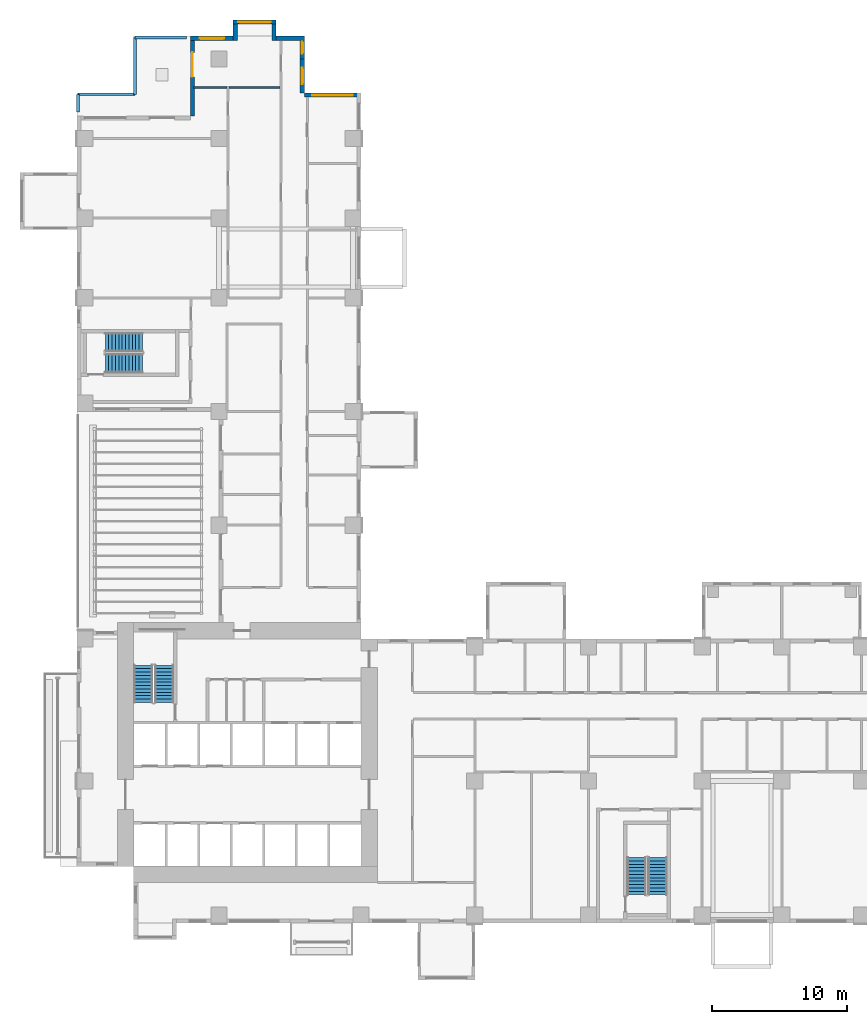
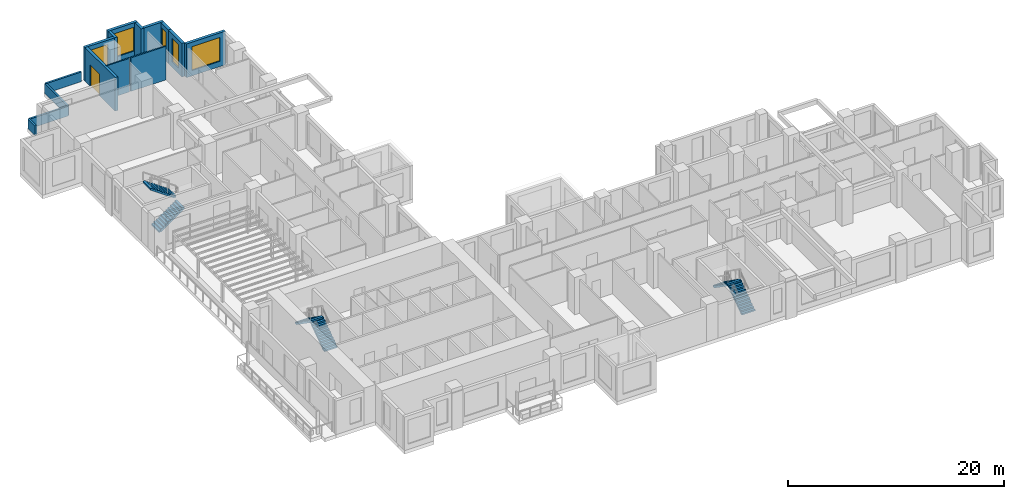
# One storey, part 12 of 17: 15 walls, 6 stair flights, 5 windows, 1 door, 6 openings, 3 elements without a shape of their own.
"""IFC4 building model written with IfcOpenShell, lengths in metres."""

from ifc_helpers import new_model, si_unit, direction, frame, frame_2d, origin, place, context, subcontext, project, spatial, polyline, rectangle, outline, extrude, source, transform, mapped, material, layer, layer_set, type_object, element, fill, aggregate, save


model = new_model("IFC4")

# Units and contexts
model_context = context("Model", 3, precision=1e-05, world=origin(), true_north=direction((0.0, 1.0)))
body_context = subcontext(model_context, "Body", "Model", "MODEL_VIEW")
ifc_project = project(units=[si_unit("LENGTHUNIT", "METRE"), si_unit("AREAUNIT", "SQUARE_METRE"), si_unit("VOLUMEUNIT", "CUBIC_METRE"), si_unit("PLANEANGLEUNIT", "RADIAN"), si_unit("MASSUNIT", "GRAM", prefix="KILO")], contexts=[model_context])

# Site, building, storey
site_placement = place(None, origin())
site = spatial("IfcSite", under=ifc_project, at=site_placement, CompositionType="ELEMENT")
building_placement = place(site_placement, origin())
building = spatial("IfcBuilding", under=site, at=building_placement, Name="Aurelian Terraces", CompositionType="ELEMENT")
storey_placement = place(building_placement, frame((0.0, 0.0, 69.9)))
storey = spatial("IfcBuildingStorey", under=building, at=storey_placement, Name="L14", CompositionType="ELEMENT", Elevation=69.9)

# Walls
ifc_material_1 = material(Name="Terracotta rainscreen cladding", Category="masonry")
ifc_layer_1 = layer(ifc_material_1, 0.3)
ifc_layer_set_1 = layer_set([ifc_layer_1], Name="EW-300")
wall_type_1 = type_object("IfcWallType", Name="EW-300", PredefinedType="STANDARD", material=ifc_layer_set_1)
wall_1_placement = place(storey_placement, frame((16.8, 65.37, 0.0), z_axis=(0.0, 0.0, 1.0), x_axis=(-1.0, 0.0, 0.0)))
element("IfcWall", 1, at=wall_1_placement, inside=storey, type_object=wall_type_1, Name="External wall L14 F11.31", PredefinedType="STANDARD", context=body_context, shape_type="SweptSolid", body=[
    extrude(rectangle(XDim=2.1, YDim=0.3, at=frame_2d((1.05, 0.0))), origin(), (0.0, 0.0, 1.0), 3.8),
])
ifc_layer_2 = layer(ifc_material_1, 0.2)
ifc_layer_set_2 = layer_set([ifc_layer_2], Name="PARAPET-200")
wall_type_2 = type_object("IfcWallType", Name="PARAPET-200", PredefinedType="PARAPET", material=ifc_layer_set_2)
wall_2_placement = place(storey_placement, frame((0.09, 59.94, 0.0), z_axis=(0.0, 0.0, 1.0), x_axis=(0.0, 1.0, 0.0)))
element("IfcWall", 2, at=wall_2_placement, inside=storey, type_object=wall_type_2, Name="Parapet L14 L14-X1", PredefinedType="PARAPET", context=body_context, shape_type="SweptSolid", body=[
    extrude(rectangle(XDim=1.29, YDim=0.2, at=frame_2d((0.645, 0.0))), origin(), (0.0, 0.0, 1.0), 1.1),
])
wall_3_placement = place(storey_placement, frame((0.09, 61.23, 0.0), z_axis=(0.0, 0.0, 1.0), x_axis=(1.0, 0.0, 0.0)))
element("IfcWall", 3, at=wall_3_placement, inside=storey, type_object=wall_type_2, Name="Parapet L14 L14-X1", PredefinedType="PARAPET", context=body_context, shape_type="SweptSolid", body=[
    extrude(rectangle(XDim=4.2, YDim=0.2, at=frame_2d((2.1, 0.0))), origin(), (0.0, 0.0, 1.0), 1.1),
])
wall_4_placement = place(storey_placement, frame((4.29, 65.43, 0.0), z_axis=(0.0, 0.0, 1.0), x_axis=(1.0, 0.0, 0.0)))
element("IfcWall", 4, at=wall_4_placement, inside=storey, type_object=wall_type_2, Name="Parapet L14 L14-X1", PredefinedType="PARAPET", context=body_context, shape_type="SweptSolid", body=[
    extrude(rectangle(XDim=3.81, YDim=0.2, at=frame_2d((1.905, 0.0))), origin(), (0.0, 0.0, 1.0), 1.1),
])
ifc_material_2 = material(Name="Gypsum board on steel studs", Category="steel")
ifc_layer_3 = layer(ifc_material_2, 0.15)
ifc_layer_set_3 = layer_set([ifc_layer_3], Name="Partition 150")
wall_type_3 = type_object("IfcWallType", Name="Partition 150", PredefinedType="PARTITIONING", material=ifc_layer_set_3)
wall_5_placement = place(storey_placement, frame((11.1, 61.74, 0.0), z_axis=(0.0, 0.0, 1.0), x_axis=(-1.0, 0.0, 0.0)))
element("IfcWall", 5, at=wall_5_placement, inside=storey, type_object=wall_type_3, Name="Partition", PredefinedType="PARTITIONING", context=body_context, shape_type="SweptSolid", body=[
    extrude(rectangle(XDim=2.495, YDim=0.15, at=frame_2d((1.2475, 0.0))), origin(), (0.0, 0.0, 1.0), 3.8),
])

# Wall, opening, window
shared_shape_1 = source(origin(), body_context, "Body", "SweptSolid", [
    extrude(rectangle(XDim=3.15, YDim=0.3, at=frame_2d((1.575, 0.0))), origin(), (0.0, 0.0, 1.0), 3.8),
])
wall_6_placement = place(storey_placement, frame((14.7, 66.57, 0.0), z_axis=(0.0, 0.0, 1.0), x_axis=(-1.0, 0.0, 0.0)))
wall_6 = element("IfcWall", 6, at=wall_6_placement, inside=storey, type_object=wall_type_1, Name="Bay wall L14 F11.32", PredefinedType="STANDARD", context=body_context, shape_type="MappedRepresentation", body=[
    mapped(shared_shape_1, transform((0.0, 0.0, 0.0), scale=1.0)),
])
shared_shape_2 = source(origin(), body_context, "Body", "SweptSolid", [
    extrude(rectangle(XDim=2.4, YDim=2.7, at=frame_2d((1.2, 1.35))), frame((0.0, 0.16, 0.0), z_axis=(0.0, -1.0, 0.0), x_axis=(1.0, 0.0, 0.0)), (0.0, 0.0, 1.0), 0.32),
])
opening_1_placement = place(wall_6_placement, frame((0.375, 0.0, 0.6)))
opening_1 = element("IfcOpeningElement", 7, at=opening_1_placement, cuts=wall_6, Name="Opening W2427", PredefinedType="OPENING", context=body_context, shape_type="MappedRepresentation", body=[
    mapped(shared_shape_2, transform((0.0, 0.0, 0.0), scale=1.0)),
])
ifc_material_3 = material(Name="Clear glazing", Category="glass")
window_type_1 = type_object("IfcWindowType", Name="W-2400x2700", PartitioningType="SINGLE_PANEL", PredefinedType="WINDOW", material=ifc_material_3)
shared_shape_3 = source(origin(), body_context, "Body", "SweptSolid", [
    extrude(rectangle(XDim=2.4, YDim=2.7, at=frame_2d((1.2, 1.35))), frame((0.0, 0.03, 0.0), z_axis=(0.0, -1.0, 0.0), x_axis=(1.0, 0.0, 0.0)), (0.0, 0.0, 1.0), 0.06),
])
window_1_placement = place(opening_1_placement, origin())
window_1 = element("IfcWindow", 8, at=window_1_placement, inside=storey, type_object=window_type_1, Name="Window L14 L14-F11-32-0", OverallHeight=2.7, OverallWidth=2.4, PartitioningType="SINGLE_PANEL", PredefinedType="WINDOW", context=body_context, shape_type="MappedRepresentation", body=[
    mapped(shared_shape_3, transform((0.0, 0.0, 0.0), scale=1.0)),
])
fill(opening_1, window_1)

wall_7_placement = place(storey_placement, frame((11.55, 65.37, 0.0), z_axis=(0.0, 0.0, 1.0), x_axis=(-1.0, 0.0, 0.0)))
wall_7 = element("IfcWall", 9, at=wall_7_placement, inside=storey, type_object=wall_type_1, Name="External wall L14 F11.33", PredefinedType="STANDARD", context=body_context, shape_type="MappedRepresentation", body=[
    mapped(shared_shape_1, transform((0.0, 0.0, 0.0), scale=1.0)),
])
shared_shape_4 = source(origin(), body_context, "Body", "SweptSolid", [
    extrude(rectangle(XDim=1.8, YDim=2.7, at=frame_2d((0.9, 1.35))), frame((0.0, 0.16, 0.0), z_axis=(0.0, -1.0, 0.0), x_axis=(1.0, 0.0, 0.0)), (0.0, 0.0, 1.0), 0.32),
])
opening_2_placement = place(wall_7_placement, frame((0.675, 0.0, 0.6)))
opening_2 = element("IfcOpeningElement", 10, at=opening_2_placement, cuts=wall_7, Name="Opening W1827", PredefinedType="OPENING", context=body_context, shape_type="MappedRepresentation", body=[
    mapped(shared_shape_4, transform((0.0, 0.0, 0.0), scale=1.0)),
])
window_type_2 = type_object("IfcWindowType", Name="W-1800x2700", PartitioningType="SINGLE_PANEL", PredefinedType="WINDOW", material=ifc_material_3)
shared_shape_5 = source(origin(), body_context, "Body", "SweptSolid", [
    extrude(rectangle(XDim=1.8, YDim=2.7, at=frame_2d((0.9, 1.35))), frame((0.0, 0.03, 0.0), z_axis=(0.0, -1.0, 0.0), x_axis=(1.0, 0.0, 0.0)), (0.0, 0.0, 1.0), 0.06),
])
window_2_placement = place(opening_2_placement, origin())
window_2 = element("IfcWindow", 11, at=window_2_placement, inside=storey, type_object=window_type_2, Name="Window L14 L14-F11-33-0", OverallHeight=2.7, OverallWidth=1.8, PartitioningType="SINGLE_PANEL", PredefinedType="WINDOW", context=body_context, shape_type="MappedRepresentation", body=[
    mapped(shared_shape_5, transform((0.0, 0.0, 0.0), scale=1.0)),
])
fill(opening_2, window_2)

shared_shape_6 = source(origin(), body_context, "Body", "SweptSolid", [
    extrude(rectangle(XDim=4.2, YDim=0.3, at=frame_2d((2.1, 0.0))), origin(), (0.0, 0.0, 1.0), 3.8),
])
wall_8_placement = place(storey_placement, frame((21.0, 61.17, 0.0), z_axis=(0.0, 0.0, 1.0), x_axis=(-1.0, 0.0, 0.0)))
wall_8 = element("IfcWall", 12, at=wall_8_placement, inside=storey, type_object=wall_type_1, Name="External wall L14 F09.28", PredefinedType="STANDARD", context=body_context, shape_type="MappedRepresentation", body=[
    mapped(shared_shape_6, transform((0.0, 0.0, 0.0), scale=1.0)),
])
shared_shape_7 = source(origin(), body_context, "Body", "SweptSolid", [
    extrude(rectangle(XDim=3.0, YDim=2.7, at=frame_2d((1.5, 1.35))), frame((0.0, 0.16, 0.0), z_axis=(0.0, -1.0, 0.0), x_axis=(1.0, 0.0, 0.0)), (0.0, 0.0, 1.0), 0.32),
])
opening_3_placement = place(wall_8_placement, frame((0.6, 0.0, 0.6)))
opening_3 = element("IfcOpeningElement", 13, at=opening_3_placement, cuts=wall_8, Name="Opening W3027", PredefinedType="OPENING", context=body_context, shape_type="MappedRepresentation", body=[
    mapped(shared_shape_7, transform((0.0, 0.0, 0.0), scale=1.0)),
])
window_type_3 = type_object("IfcWindowType", Name="W-3000x2700", PartitioningType="SINGLE_PANEL", PredefinedType="WINDOW", material=ifc_material_3)
shared_shape_8 = source(origin(), body_context, "Body", "SweptSolid", [
    extrude(rectangle(XDim=3.0, YDim=2.7, at=frame_2d((1.5, 1.35))), frame((0.0, 0.03, 0.0), z_axis=(0.0, -1.0, 0.0), x_axis=(1.0, 0.0, 0.0)), (0.0, 0.0, 1.0), 0.06),
])
window_3_placement = place(opening_3_placement, origin())
window_3 = element("IfcWindow", 14, at=window_3_placement, inside=storey, type_object=window_type_3, Name="Window L14 L14-F09-28-0", OverallHeight=2.7, OverallWidth=3.0, PartitioningType="SINGLE_PANEL", PredefinedType="WINDOW", context=body_context, shape_type="MappedRepresentation", body=[
    mapped(shared_shape_8, transform((0.0, 0.0, 0.0), scale=1.0)),
])
fill(opening_3, window_3)

# Walls
shared_shape_9 = source(origin(), body_context, "Body", "SweptSolid", [
    extrude(rectangle(XDim=1.2, YDim=0.3, at=frame_2d((0.6, 0.0))), origin(), (0.0, 0.0, 1.0), 3.8),
])
for number, where, z_axis, x_axis, name in (
    (15, (14.55, 65.22, 0.0), (0.0, 0.0, 1.0), (0.0, 1.0, 0.0), "Bay return L14 F11.32.1"),
    (16, (11.7, 65.22, 0.0), (0.0, 0.0, 1.0), (0.0, 1.0, 0.0), "Bay return L14 F11.32.2"),
):
    element("IfcWall", number, at=place(storey_placement, frame(where, z_axis=z_axis, x_axis=x_axis)), inside=storey, type_object=wall_type_1, Name=name, PredefinedType="STANDARD", context=body_context, shape_type="MappedRepresentation", body=[
        mapped(shared_shape_9, transform((0.0, 0.0, 0.0), scale=1.0)),
    ])

# Wall, opening, door
shared_shape_10 = source(origin(), body_context, "Body", "SweptSolid", [
    extrude(rectangle(XDim=5.88, YDim=0.3, at=frame_2d((2.94, 0.0))), origin(), (0.0, 0.0, 1.0), 3.8),
])
wall_9_placement = place(storey_placement, frame((8.55, 65.52, 0.0), z_axis=(0.0, 0.0, 1.0), x_axis=(0.0, -1.0, 0.0)))
wall_9 = element("IfcWall", 17, at=wall_9_placement, inside=storey, type_object=wall_type_1, Name="External wall L14 F12.34", PredefinedType="STANDARD", context=body_context, shape_type="MappedRepresentation", body=[
    mapped(shared_shape_10, transform((0.0, 0.0, 0.0), scale=1.0)),
])
shared_shape_11 = source(origin(), body_context, "Body", "SweptSolid", [
    extrude(rectangle(XDim=1.8, YDim=2.4, at=frame_2d((0.9, 1.2))), frame((0.0, 0.16, 0.0), z_axis=(0.0, -1.0, 0.0), x_axis=(1.0, 0.0, 0.0)), (0.0, 0.0, 1.0), 0.32),
])
opening_4_placement = place(wall_9_placement, frame((1.2, 0.0, 0.0)))
opening_4 = element("IfcOpeningElement", 18, at=opening_4_placement, cuts=wall_9, Name="Opening 81402", PredefinedType="OPENING", context=body_context, shape_type="MappedRepresentation", body=[
    mapped(shared_shape_11, transform((0.0, 0.0, 0.0), scale=1.0)),
])
door_type = type_object("IfcDoorType", Name="BD-1800x2400", OperationType="SLIDING_TO_LEFT", PredefinedType="DOOR", material=ifc_material_3)
shared_shape_12 = source(origin(), body_context, "Body", "SweptSolid", [
    extrude(rectangle(XDim=1.8, YDim=2.4, at=frame_2d((0.9, 1.2))), frame((0.0, 0.025, 0.0), z_axis=(0.0, -1.0, 0.0), x_axis=(1.0, 0.0, 0.0)), (0.0, 0.0, 1.0), 0.05),
])
door_placement = place(opening_4_placement, origin())
door = element("IfcDoor", 19, at=door_placement, inside=storey, type_object=door_type, Name="Terrace door L14 L14-F12-34.1", OperationType="SLIDING_TO_LEFT", OverallHeight=2.4, OverallWidth=1.8, PredefinedType="DOOR", context=body_context, shape_type="MappedRepresentation", body=[
    mapped(shared_shape_12, transform((0.0, 0.0, 0.0), scale=1.0)),
])
fill(opening_4, door)

# Wall, opening, window
shared_shape_13 = source(origin(), body_context, "Body", "SweptSolid", [
    extrude(rectangle(XDim=2.52, YDim=0.3, at=frame_2d((1.26, 0.0))), origin(), (0.0, 0.0, 1.0), 3.8),
])
wall_10_placement = place(storey_placement, frame((16.65, 61.32, 0.0), z_axis=(0.0, 0.0, 1.0), x_axis=(0.0, 1.0, 0.0)))
wall_10 = element("IfcWall", 20, at=wall_10_placement, inside=storey, type_object=wall_type_1, Name="External wall L14 F10.29", PredefinedType="STANDARD", context=body_context, shape_type="MappedRepresentation", body=[
    mapped(shared_shape_13, transform((0.0, 0.0, 0.0), scale=1.0)),
])
shared_shape_14 = source(origin(), body_context, "Body", "SweptSolid", [
    extrude(rectangle(XDim=1.2, YDim=2.7, at=frame_2d((0.6, 1.35))), frame((0.0, 0.16, 0.0), z_axis=(0.0, -1.0, 0.0), x_axis=(1.0, 0.0, 0.0)), (0.0, 0.0, 1.0), 0.32),
])
opening_5_placement = place(wall_10_placement, frame((0.66, 0.0, 0.6)))
opening_5 = element("IfcOpeningElement", 21, at=opening_5_placement, cuts=wall_10, Name="Opening W1227", PredefinedType="OPENING", context=body_context, shape_type="MappedRepresentation", body=[
    mapped(shared_shape_14, transform((0.0, 0.0, 0.0), scale=1.0)),
])
window_type_4 = type_object("IfcWindowType", Name="W-1200x2700", PartitioningType="SINGLE_PANEL", PredefinedType="WINDOW", material=ifc_material_3)
shared_shape_15 = source(origin(), body_context, "Body", "SweptSolid", [
    extrude(rectangle(XDim=1.2, YDim=2.7, at=frame_2d((0.6, 1.35))), frame((0.0, 0.03, 0.0), z_axis=(0.0, -1.0, 0.0), x_axis=(1.0, 0.0, 0.0)), (0.0, 0.0, 1.0), 0.06),
])
window_4_placement = place(opening_5_placement, origin())
window_4 = element("IfcWindow", 22, at=window_4_placement, inside=storey, type_object=window_type_4, Name="Window L14 L14-F10-29-0", OverallHeight=2.7, OverallWidth=1.2, PartitioningType="SINGLE_PANEL", PredefinedType="WINDOW", context=body_context, shape_type="MappedRepresentation", body=[
    mapped(shared_shape_15, transform((0.0, 0.0, 0.0), scale=1.0)),
])
fill(opening_5, window_4)

shared_shape_16 = source(origin(), body_context, "Body", "SweptSolid", [
    extrude(rectangle(XDim=1.68, YDim=0.3, at=frame_2d((0.84, 0.0))), origin(), (0.0, 0.0, 1.0), 3.8),
])
wall_11_placement = place(storey_placement, frame((16.65, 63.84, 0.0), z_axis=(0.0, 0.0, 1.0), x_axis=(0.0, 1.0, 0.0)))
wall_11 = element("IfcWall", 23, at=wall_11_placement, inside=storey, type_object=wall_type_1, Name="External wall L14 F10.30", PredefinedType="STANDARD", context=body_context, shape_type="MappedRepresentation", body=[
    mapped(shared_shape_16, transform((0.0, 0.0, 0.0), scale=1.0)),
])
shared_shape_17 = source(origin(), body_context, "Body", "SweptSolid", [
    extrude(rectangle(XDim=0.9, YDim=2.7, at=frame_2d((0.45, 1.35))), frame((0.0, 0.16, 0.0), z_axis=(0.0, -1.0, 0.0), x_axis=(1.0, 0.0, 0.0)), (0.0, 0.0, 1.0), 0.32),
])
opening_6_placement = place(wall_11_placement, frame((0.39, 0.0, 0.6)))
opening_6 = element("IfcOpeningElement", 24, at=opening_6_placement, cuts=wall_11, Name="Opening W0927", PredefinedType="OPENING", context=body_context, shape_type="MappedRepresentation", body=[
    mapped(shared_shape_17, transform((0.0, 0.0, 0.0), scale=1.0)),
])
window_type_5 = type_object("IfcWindowType", Name="W-900x2700", PartitioningType="SINGLE_PANEL", PredefinedType="WINDOW", material=ifc_material_3)
shared_shape_18 = source(origin(), body_context, "Body", "SweptSolid", [
    extrude(rectangle(XDim=0.9, YDim=2.7, at=frame_2d((0.45, 1.35))), frame((0.0, 0.03, 0.0), z_axis=(0.0, -1.0, 0.0), x_axis=(1.0, 0.0, 0.0)), (0.0, 0.0, 1.0), 0.06),
])
window_5_placement = place(opening_6_placement, origin())
window_5 = element("IfcWindow", 25, at=window_5_placement, inside=storey, type_object=window_type_5, Name="Window L14 L14-F10-30-P0", OverallHeight=2.7, OverallWidth=0.9, PartitioningType="SINGLE_PANEL", PredefinedType="WINDOW", context=body_context, shape_type="MappedRepresentation", body=[
    mapped(shared_shape_18, transform((0.0, 0.0, 0.0), scale=1.0)),
])
fill(opening_6, window_5)

# Walls
shared_shape_19 = source(origin(), body_context, "Body", "SweptSolid", [
    extrude(rectangle(XDim=4.2, YDim=0.2, at=frame_2d((2.1, 0.0))), origin(), (0.0, 0.0, 1.0), 1.1),
])
wall_12_placement = place(storey_placement, frame((4.29, 61.23, 0.0), z_axis=(0.0, 0.0, 1.0), x_axis=(0.0, 1.0, 0.0)))
element("IfcWall", 26, at=wall_12_placement, inside=storey, type_object=wall_type_2, Name="Parapet L14 L14-X1", PredefinedType="PARAPET", context=body_context, shape_type="MappedRepresentation", body=[
    mapped(shared_shape_19, transform((0.0, 0.0, 0.0), scale=1.0)),
])
shared_shape_20 = source(origin(), body_context, "Body", "SweptSolid", [
    extrude(rectangle(XDim=3.75, YDim=0.15, at=frame_2d((1.875, 0.0))), origin(), (0.0, 0.0, 1.0), 3.8),
])
wall_13_placement = place(storey_placement, frame((15.0, 61.74, 0.0), z_axis=(0.0, 0.0, 1.0), x_axis=(-1.0, 0.0, 0.0)))
element("IfcWall", 27, at=wall_13_placement, inside=storey, type_object=wall_type_3, Name="Partition", PredefinedType="PARTITIONING", context=body_context, shape_type="MappedRepresentation", body=[
    mapped(shared_shape_20, transform((0.0, 0.0, 0.0), scale=1.0)),
])

# Stair, stair flights
ifc_material_4 = material(Name="Concrete fc' 40 MPa", Category="concrete")
stair_type = type_object("IfcStairType", Name="Stair 1400", PredefinedType="HALF_TURN_STAIR", material=ifc_material_4)
stair_1_placement = place(storey_placement, origin())
stair_1 = element("IfcStair", 28, at=stair_1_placement, inside=storey, type_object=stair_type, Name="L14 S1", PredefinedType="HALF_TURN_STAIR")
stair_flight_type = type_object("IfcStairFlightType", Name="Stair flight 1400", PredefinedType="STRAIGHT", material=ifc_material_4)
shared_shape_21 = source(origin(), body_context, "Body", "SweptSolid", [
    extrude(outline(polyline([(0.0, 0.0), (0.0, 0.175), (0.25, 0.175), (0.25, 0.35), (0.5, 0.35), (0.5, 0.525), (0.75, 0.525), (0.75, 0.7), (1.0, 0.7), (1.0, 0.875), (1.25, 0.875), (1.25, 1.05), (1.5, 1.05), (1.5, 1.225), (1.75, 1.225), (1.75, 1.4), (2.0, 1.4), (2.0, 1.575), (2.25, 1.575), (2.25, 1.75), (2.5, 1.75), (2.5, 1.925), (2.75, 1.925), (2.75, 2.1), (2.75, 1.7419), (0.2616, 0.0), (0.0, 0.0)])), frame((0.0, 0.7, 0.0), z_axis=(0.0, -1.0, 0.0), x_axis=(1.0, 0.0, 0.0)), (0.0, 0.0, 1.0), 1.4),
])
stair_flight_1_placement = place(storey_placement, frame((6.45, 16.3, 2e-08), z_axis=(0.0, 0.0, 1.0), x_axis=(0.0, 1.0, 0.0)))
stair_flight_1 = element("IfcStairFlight", 29, at=stair_flight_1_placement, type_object=stair_flight_type, Name="S1 flight 1", NumberOfRisers=12, NumberOfTreads=11, PredefinedType="STRAIGHT", RiserHeight=0.175, TreadLength=0.25, context=body_context, shape_type="MappedRepresentation", body=[
    mapped(shared_shape_21, transform((0.0, 0.0, 0.0), scale=1.0)),
])
stair_flight_2_placement = place(storey_placement, frame((4.9, 19.05, 2.100000019999994), z_axis=(0.0, 0.0, 1.0), x_axis=(0.0, -1.0, 0.0)))
stair_flight_2 = element("IfcStairFlight", 30, at=stair_flight_2_placement, type_object=stair_flight_type, Name="S1 flight 2", NumberOfRisers=12, NumberOfTreads=11, PredefinedType="STRAIGHT", RiserHeight=0.175, TreadLength=0.25, context=body_context, shape_type="MappedRepresentation", body=[
    mapped(shared_shape_21, transform((0.0, 0.0, 0.0), scale=1.0)),
])
aggregate(stair_1, [stair_flight_1, stair_flight_2])

stair_2_placement = place(storey_placement, origin())
stair_2 = element("IfcStair", 31, at=stair_2_placement, inside=storey, type_object=stair_type, Name="L14 S2", PredefinedType="HALF_TURN_STAIR")
stair_flight_3_placement = place(storey_placement, frame((42.9, 2.1, 2e-08), z_axis=(0.0, 0.0, 1.0), x_axis=(0.0, 1.0, 0.0)))
stair_flight_3 = element("IfcStairFlight", 32, at=stair_flight_3_placement, type_object=stair_flight_type, Name="S2 flight 1", NumberOfRisers=12, NumberOfTreads=11, PredefinedType="STRAIGHT", RiserHeight=0.175, TreadLength=0.25, context=body_context, shape_type="MappedRepresentation", body=[
    mapped(shared_shape_21, transform((0.0, 0.0, 0.0), scale=1.0)),
])
stair_flight_4_placement = place(storey_placement, frame((41.35, 4.85, 2.100000019999994), z_axis=(0.0, 0.0, 1.0), x_axis=(0.0, -1.0, 0.0)))
stair_flight_4 = element("IfcStairFlight", 33, at=stair_flight_4_placement, type_object=stair_flight_type, Name="S2 flight 2", NumberOfRisers=12, NumberOfTreads=11, PredefinedType="STRAIGHT", RiserHeight=0.175, TreadLength=0.25, context=body_context, shape_type="MappedRepresentation", body=[
    mapped(shared_shape_21, transform((0.0, 0.0, 0.0), scale=1.0)),
])
aggregate(stair_2, [stair_flight_3, stair_flight_4])

stair_3_placement = place(storey_placement, origin())
stair_3 = element("IfcStair", 34, at=stair_3_placement, inside=storey, type_object=stair_type, Name="L14 S3", PredefinedType="HALF_TURN_STAIR")
stair_flight_5_placement = place(storey_placement, frame((2.1, 41.35, 2e-08), z_axis=(0.0, 0.0, 1.0), x_axis=(1.0, 0.0, 0.0)))
stair_flight_5 = element("IfcStairFlight", 35, at=stair_flight_5_placement, type_object=stair_flight_type, Name="S3 flight 1", NumberOfRisers=12, NumberOfTreads=11, PredefinedType="STRAIGHT", RiserHeight=0.175, TreadLength=0.25, context=body_context, shape_type="MappedRepresentation", body=[
    mapped(shared_shape_21, transform((0.0, 0.0, 0.0), scale=1.0)),
])
stair_flight_6_placement = place(storey_placement, frame((4.85, 42.9, 2.100000019999994), z_axis=(0.0, 0.0, 1.0), x_axis=(-1.0, 0.0, 0.0)))
stair_flight_6 = element("IfcStairFlight", 36, at=stair_flight_6_placement, type_object=stair_flight_type, Name="S3 flight 2", NumberOfRisers=12, NumberOfTreads=11, PredefinedType="STRAIGHT", RiserHeight=0.175, TreadLength=0.25, context=body_context, shape_type="MappedRepresentation", body=[
    mapped(shared_shape_21, transform((0.0, 0.0, 0.0), scale=1.0)),
])
aggregate(stair_3, [stair_flight_5, stair_flight_6])

save(model, "model.ifc")
